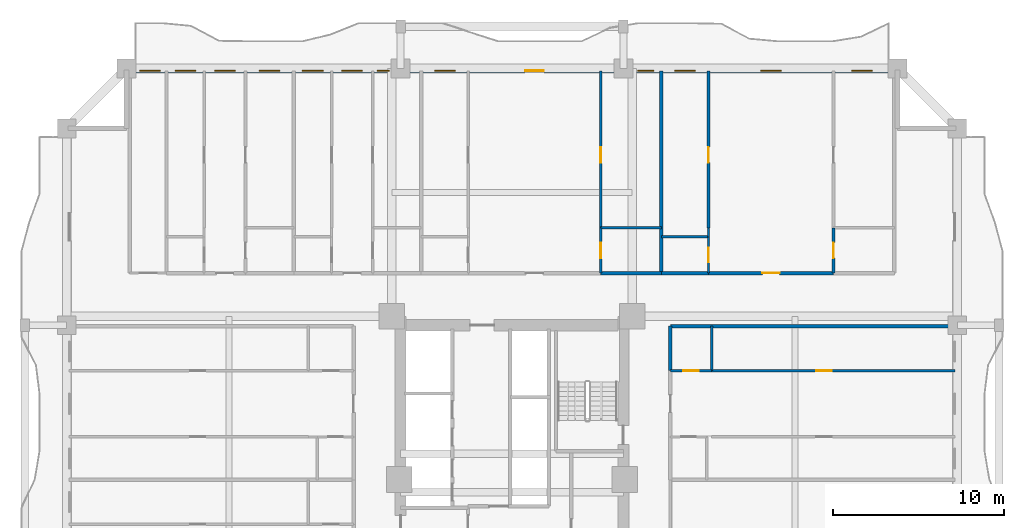
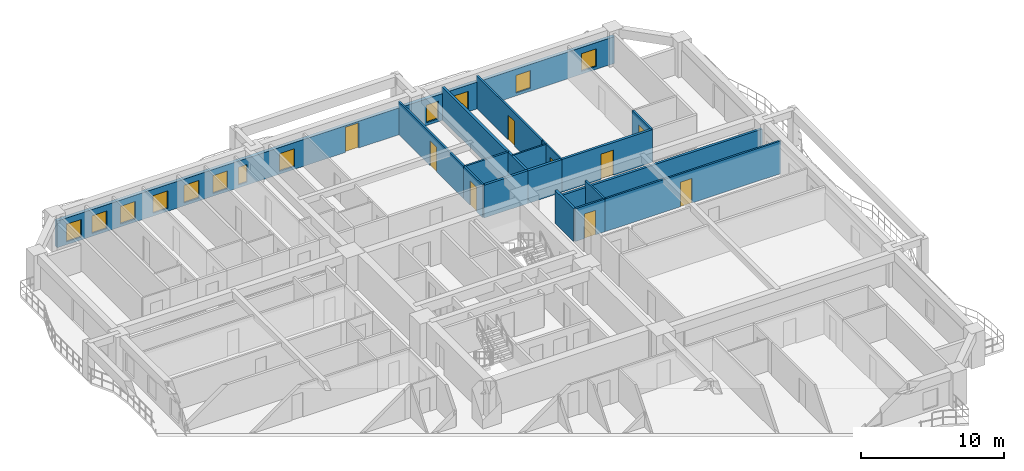
# One storey, part 7 of 15: 18 walls, 12 windows, 9 doors, 21 openings.
"""IFC4 building model written with IfcOpenShell, lengths in metres."""

from ifc_helpers import new_model, si_unit, direction, frame, frame_2d, origin, place, context, subcontext, project, spatial, rectangle, extrude, source, transform, mapped, material, layer, layer_set, type_object, element, fill, save


model = new_model("IFC4")

# Units and contexts
model_context = context("Model", 3, precision=1e-05, world=origin(), true_north=direction((0.0, 1.0)))
body_context = subcontext(model_context, "Body", "Model", "MODEL_VIEW")
ifc_project = project(units=[si_unit("LENGTHUNIT", "METRE"), si_unit("AREAUNIT", "SQUARE_METRE"), si_unit("VOLUMEUNIT", "CUBIC_METRE"), si_unit("PLANEANGLEUNIT", "RADIAN"), si_unit("MASSUNIT", "GRAM", prefix="KILO")], contexts=[model_context])

# Site, building, storey
site_placement = place(None, origin())
site = spatial("IfcSite", under=ifc_project, at=site_placement, CompositionType="ELEMENT")
building_placement = place(site_placement, origin())
building = spatial("IfcBuilding", under=site, at=building_placement, Name="Saelheon Loggia Tower", CompositionType="ELEMENT")
storey_placement = place(building_placement, frame((0.0, 0.0, 46.39990234375)))
storey = spatial("IfcBuildingStorey", under=building, at=storey_placement, Name="L14", CompositionType="ELEMENT", Elevation=46.39990234375)

# Wall, openings, windows, door
ifc_material_1 = material(Name="Architectural Precast Concrete C40/50", Category="concrete")
ifc_layer_1 = layer(ifc_material_1, 0.280029296875)
ifc_layer_set_1 = layer_set([ifc_layer_1], Name="Architectural Precast Concrete C40/50")
wall_type_1 = type_object("IfcWallType", Name="Wall_Ext_Loggia_280", PredefinedType="SOLIDWALL", material=ifc_layer_set_1)
wall_1_placement = place(storey_placement, frame((15.5, 50.860107421875, 0.0), z_axis=(0.0, 0.0, 1.0), x_axis=(1.0, 0.0, 0.0)))
wall_1 = element("IfcWall", 1, at=wall_1_placement, inside=storey, type_object=wall_type_1, Name="L14 North Loggia Inner Wall", PredefinedType="SOLIDWALL", context=body_context, shape_type="SweptSolid", body=[
    extrude(rectangle(XDim=45.0, YDim=0.280029296875, at=frame_2d((22.5, 0.0))), origin(), (0.0, 0.0, 1.0), 2.280029296875),
])
opening_1_placement = place(wall_1_placement, frame((0.760009765625, 0.0, 0.25)))
opening_1 = element("IfcOpeningElement", 2, at=opening_1_placement, cuts=wall_1, Name="Opening WN-03", PredefinedType="OPENING", context=body_context, shape_type="SweptSolid", body=[
    extrude(rectangle(XDim=1.199951171875, YDim=1.5, at=frame_2d((0.60009765625, 0.75))), frame((0.0, 0.152099609375, 0.0), z_axis=(0.0, -1.0, 0.0), x_axis=(1.0, 0.0, 0.0)), (0.0, 0.0, 1.0), 0.303955078125),
])
opening_2_placement = place(wall_1_placement, frame((2.830078125, 0.0, 0.25)))
opening_2 = element("IfcOpeningElement", 3, at=opening_2_placement, cuts=wall_1, Name="Opening WN-03", PredefinedType="OPENING", context=body_context, shape_type="SweptSolid", body=[
    extrude(rectangle(XDim=1.199951171875, YDim=1.5, at=frame_2d((0.60009765625, 0.75))), frame((0.0, 0.152099609375, 0.0), z_axis=(0.0, -1.0, 0.0), x_axis=(1.0, 0.0, 0.0)), (0.0, 0.0, 1.0), 0.303955078125),
])
opening_3_placement = place(wall_1_placement, frame((5.135009765625, 0.0, 0.25)))
opening_3 = element("IfcOpeningElement", 4, at=opening_3_placement, cuts=wall_1, Name="Opening WN-03", PredefinedType="OPENING", context=body_context, shape_type="SweptSolid", body=[
    extrude(rectangle(XDim=1.199951171875, YDim=1.5, at=frame_2d((0.60009765625, 0.75))), frame((0.0, 0.152099609375, 0.0), z_axis=(0.0, -1.0, 0.0), x_axis=(1.0, 0.0, 0.0)), (0.0, 0.0, 1.0), 0.303955078125),
])
opening_4_placement = place(wall_1_placement, frame((7.7529296875, 0.0, 0.25)))
opening_4 = element("IfcOpeningElement", 5, at=opening_4_placement, cuts=wall_1, Name="Opening WN-03", PredefinedType="OPENING", context=body_context, shape_type="SweptSolid", body=[
    extrude(rectangle(XDim=1.199951171875, YDim=1.5, at=frame_2d((0.60009765625, 0.75))), frame((0.0, 0.152099609375, 0.0), z_axis=(0.0, -1.0, 0.0), x_axis=(1.0, 0.0, 0.0)), (0.0, 0.0, 1.0), 0.303955078125),
])
opening_5_placement = place(wall_1_placement, frame((10.265869140625, 0.0, 0.25)))
opening_5 = element("IfcOpeningElement", 6, at=opening_5_placement, cuts=wall_1, Name="Opening WN-03", PredefinedType="OPENING", context=body_context, shape_type="SweptSolid", body=[
    extrude(rectangle(XDim=1.199951171875, YDim=1.5, at=frame_2d((0.60009765625, 0.75))), frame((0.0, 0.152099609375, 0.0), z_axis=(0.0, -1.0, 0.0), x_axis=(1.0, 0.0, 0.0)), (0.0, 0.0, 1.0), 0.303955078125),
])
opening_6_placement = place(wall_1_placement, frame((12.57080078125, 0.0, 0.25)))
opening_6 = element("IfcOpeningElement", 7, at=opening_6_placement, cuts=wall_1, Name="Opening WN-03", PredefinedType="OPENING", context=body_context, shape_type="SweptSolid", body=[
    extrude(rectangle(XDim=1.199951171875, YDim=1.5, at=frame_2d((0.60009765625, 0.75))), frame((0.0, 0.152099609375, 0.0), z_axis=(0.0, -1.0, 0.0), x_axis=(1.0, 0.0, 0.0)), (0.0, 0.0, 1.0), 0.303955078125),
])
opening_7_placement = place(wall_1_placement, frame((14.64306640625, 0.0, 0.25)))
opening_7 = element("IfcOpeningElement", 8, at=opening_7_placement, cuts=wall_1, Name="Opening WN-06", PredefinedType="OPENING", context=body_context, shape_type="SweptSolid", body=[
    extrude(rectangle(XDim=0.699951171875, YDim=1.5, at=frame_2d((0.35009765625, 0.75))), frame((0.0, 0.152099609375, 0.0), z_axis=(0.0, -1.0, 0.0), x_axis=(1.0, 0.0, 0.0)), (0.0, 0.0, 1.0), 0.303955078125),
])
opening_8_placement = place(wall_1_placement, frame((17.9765625, 0.0, 0.25)))
opening_8 = element("IfcOpeningElement", 9, at=opening_8_placement, cuts=wall_1, Name="Opening WN-03", PredefinedType="OPENING", context=body_context, shape_type="SweptSolid", body=[
    extrude(rectangle(XDim=1.199951171875, YDim=1.5, at=frame_2d((0.60009765625, 0.75))), frame((0.0, 0.152099609375, 0.0), z_axis=(0.0, -1.0, 0.0), x_axis=(1.0, 0.0, 0.0)), (0.0, 0.0, 1.0), 0.303955078125),
])
opening_9_placement = place(wall_1_placement, frame((23.26318359375, 0.0, 0.0)))
opening_9 = element("IfcOpeningElement", 10, at=opening_9_placement, cuts=wall_1, Name="Opening TD1", PredefinedType="OPENING", context=body_context, shape_type="SweptSolid", body=[
    extrude(rectangle(XDim=1.10009765625, YDim=2.14990234375, at=frame_2d((0.550048828125, 1.074951171875))), frame((0.0, 0.152099609375, 0.0), z_axis=(0.0, -1.0, 0.0), x_axis=(1.0, 0.0, 0.0)), (0.0, 0.0, 1.0), 0.303955078125),
])
opening_10_placement = place(wall_1_placement, frame((29.83154296875, 0.0, 0.25)))
opening_10 = element("IfcOpeningElement", 11, at=opening_10_placement, cuts=wall_1, Name="Opening WN-04", PredefinedType="OPENING", context=body_context, shape_type="SweptSolid", body=[
    extrude(rectangle(XDim=0.949951171875, YDim=1.5, at=frame_2d((0.47509765625, 0.75))), frame((0.0, 0.152099609375, 0.0), z_axis=(0.0, -1.0, 0.0), x_axis=(1.0, 0.0, 0.0)), (0.0, 0.0, 1.0), 0.303955078125),
])
opening_11_placement = place(wall_1_placement, frame((31.998291015625, 0.0, 0.25)))
opening_11 = element("IfcOpeningElement", 12, at=opening_11_placement, cuts=wall_1, Name="Opening WN-03", PredefinedType="OPENING", context=body_context, shape_type="SweptSolid", body=[
    extrude(rectangle(XDim=1.199951171875, YDim=1.5, at=frame_2d((0.60009765625, 0.75))), frame((0.0, 0.152099609375, 0.0), z_axis=(0.0, -1.0, 0.0), x_axis=(1.0, 0.0, 0.0)), (0.0, 0.0, 1.0), 0.303955078125),
])
opening_12_placement = place(wall_1_placement, frame((37.022705078125, 0.0, 0.25)))
opening_12 = element("IfcOpeningElement", 13, at=opening_12_placement, cuts=wall_1, Name="Opening WN-03", PredefinedType="OPENING", context=body_context, shape_type="SweptSolid", body=[
    extrude(rectangle(XDim=1.199951171875, YDim=1.5, at=frame_2d((0.60009765625, 0.75))), frame((0.0, 0.152099609375, 0.0), z_axis=(0.0, -1.0, 0.0), x_axis=(1.0, 0.0, 0.0)), (0.0, 0.0, 1.0), 0.303955078125),
])
opening_13_placement = place(wall_1_placement, frame((42.341064453125, 0.0, 0.25)))
opening_13 = element("IfcOpeningElement", 14, at=opening_13_placement, cuts=wall_1, Name="Opening WN-03", PredefinedType="OPENING", context=body_context, shape_type="SweptSolid", body=[
    extrude(rectangle(XDim=1.199951171875, YDim=1.5, at=frame_2d((0.60009765625, 0.75))), frame((0.0, 0.152099609375, 0.0), z_axis=(0.0, -1.0, 0.0), x_axis=(1.0, 0.0, 0.0)), (0.0, 0.0, 1.0), 0.303955078125),
])
ifc_material_2 = material(Name="Thermal-Break Aluminium and Triple Low-E Glass", Category="aluminium")
window_type_1 = type_object("IfcWindowType", Name="Win_Slot_700x1500", PartitioningType="SINGLE_PANEL", PredefinedType="WINDOW", material=ifc_material_2)
shared_shape_1 = source(origin(), body_context, "Body", "SweptSolid", [
    extrude(rectangle(XDim=0.699951171875, YDim=1.5, at=frame_2d((0.35009765625, 0.75))), frame((0.0, 0.030029296875, 0.0), z_axis=(0.0, -1.0, 0.0), x_axis=(1.0, 0.0, 0.0)), (0.0, 0.0, 1.0), 0.06005859375),
])
window_1_placement = place(opening_7_placement, origin())
window_1 = element("IfcWindow", 15, at=window_1_placement, inside=storey, type_object=window_type_1, Name="L14 N Dwelling Window 7", OverallHeight=1.5, OverallWidth=0.699951171875, PartitioningType="SINGLE_PANEL", PredefinedType="WINDOW", context=body_context, shape_type="MappedRepresentation", body=[
    mapped(shared_shape_1, transform((0.0, 0.0, 0.0), scale=1.0)),
])
fill(opening_7, window_1)
window_type_2 = type_object("IfcWindowType", Name="Win_Bedroom_1200x1500", PartitioningType="SINGLE_PANEL", PredefinedType="WINDOW", material=ifc_material_2)
shared_shape_2 = source(origin(), body_context, "Body", "SweptSolid", [
    extrude(rectangle(XDim=1.199951171875, YDim=1.5, at=frame_2d((0.60009765625, 0.75))), frame((0.0, 0.030029296875, 0.0), z_axis=(0.0, -1.0, 0.0), x_axis=(1.0, 0.0, 0.0)), (0.0, 0.0, 1.0), 0.06005859375),
])
window_2_placement = place(opening_1_placement, origin())
window_2 = element("IfcWindow", 16, at=window_2_placement, inside=storey, type_object=window_type_2, Name="L14 N Dwelling Window 1", OverallHeight=1.5, OverallWidth=1.199951171875, PartitioningType="SINGLE_PANEL", PredefinedType="WINDOW", context=body_context, shape_type="MappedRepresentation", body=[
    mapped(shared_shape_2, transform((0.0, 0.0, 0.0), scale=1.0)),
])
fill(opening_1, window_2)
window_3_placement = place(opening_2_placement, origin())
window_3 = element("IfcWindow", 17, at=window_3_placement, inside=storey, type_object=window_type_2, Name="L14 N Dwelling Window 2", OverallHeight=1.5, OverallWidth=1.199951171875, PartitioningType="SINGLE_PANEL", PredefinedType="WINDOW", context=body_context, shape_type="MappedRepresentation", body=[
    mapped(shared_shape_2, transform((0.0, 0.0, 0.0), scale=1.0)),
])
fill(opening_2, window_3)
window_4_placement = place(opening_3_placement, origin())
window_4 = element("IfcWindow", 18, at=window_4_placement, inside=storey, type_object=window_type_2, Name="L14 N Dwelling Window 3", OverallHeight=1.5, OverallWidth=1.199951171875, PartitioningType="SINGLE_PANEL", PredefinedType="WINDOW", context=body_context, shape_type="MappedRepresentation", body=[
    mapped(shared_shape_2, transform((0.0, 0.0, 0.0), scale=1.0)),
])
fill(opening_3, window_4)
window_5_placement = place(opening_4_placement, origin())
window_5 = element("IfcWindow", 19, at=window_5_placement, inside=storey, type_object=window_type_2, Name="L14 N Dwelling Window 4", OverallHeight=1.5, OverallWidth=1.199951171875, PartitioningType="SINGLE_PANEL", PredefinedType="WINDOW", context=body_context, shape_type="MappedRepresentation", body=[
    mapped(shared_shape_2, transform((0.0, 0.0, 0.0), scale=1.0)),
])
fill(opening_4, window_5)
window_6_placement = place(opening_5_placement, origin())
window_6 = element("IfcWindow", 20, at=window_6_placement, inside=storey, type_object=window_type_2, Name="L14 N Dwelling Window 5", OverallHeight=1.5, OverallWidth=1.199951171875, PartitioningType="SINGLE_PANEL", PredefinedType="WINDOW", context=body_context, shape_type="MappedRepresentation", body=[
    mapped(shared_shape_2, transform((0.0, 0.0, 0.0), scale=1.0)),
])
fill(opening_5, window_6)
window_7_placement = place(opening_6_placement, origin())
window_7 = element("IfcWindow", 21, at=window_7_placement, inside=storey, type_object=window_type_2, Name="L14 N Dwelling Window 6", OverallHeight=1.5, OverallWidth=1.199951171875, PartitioningType="SINGLE_PANEL", PredefinedType="WINDOW", context=body_context, shape_type="MappedRepresentation", body=[
    mapped(shared_shape_2, transform((0.0, 0.0, 0.0), scale=1.0)),
])
fill(opening_6, window_7)
window_8_placement = place(opening_8_placement, origin())
window_8 = element("IfcWindow", 22, at=window_8_placement, inside=storey, type_object=window_type_2, Name="L14 N Dwelling Window 8", OverallHeight=1.5, OverallWidth=1.199951171875, PartitioningType="SINGLE_PANEL", PredefinedType="WINDOW", context=body_context, shape_type="MappedRepresentation", body=[
    mapped(shared_shape_2, transform((0.0, 0.0, 0.0), scale=1.0)),
])
fill(opening_8, window_8)
window_9_placement = place(opening_11_placement, origin())
window_9 = element("IfcWindow", 23, at=window_9_placement, inside=storey, type_object=window_type_2, Name="L14 N Dwelling Window 11", OverallHeight=1.5, OverallWidth=1.199951171875, PartitioningType="SINGLE_PANEL", PredefinedType="WINDOW", context=body_context, shape_type="MappedRepresentation", body=[
    mapped(shared_shape_2, transform((0.0, 0.0, 0.0), scale=1.0)),
])
fill(opening_11, window_9)
window_10_placement = place(opening_12_placement, origin())
window_10 = element("IfcWindow", 24, at=window_10_placement, inside=storey, type_object=window_type_2, Name="L14 N Dwelling Window 12", OverallHeight=1.5, OverallWidth=1.199951171875, PartitioningType="SINGLE_PANEL", PredefinedType="WINDOW", context=body_context, shape_type="MappedRepresentation", body=[
    mapped(shared_shape_2, transform((0.0, 0.0, 0.0), scale=1.0)),
])
fill(opening_12, window_10)
window_11_placement = place(opening_13_placement, origin())
window_11 = element("IfcWindow", 25, at=window_11_placement, inside=storey, type_object=window_type_2, Name="L14 N Dwelling Window 13", OverallHeight=1.5, OverallWidth=1.199951171875, PartitioningType="SINGLE_PANEL", PredefinedType="WINDOW", context=body_context, shape_type="MappedRepresentation", body=[
    mapped(shared_shape_2, transform((0.0, 0.0, 0.0), scale=1.0)),
])
fill(opening_13, window_11)
ifc_material_3 = material(Name="Thermal-Break Aluminium Glazed Door", Category="aluminium")
door_type_1 = type_object("IfcDoorType", Name="Door_Terrace_TD1", OperationType="NOTDEFINED", PredefinedType="DOOR", material=ifc_material_3)
shared_shape_3 = source(origin(), body_context, "Body", "SweptSolid", [
    extrude(rectangle(XDim=1.10009765625, YDim=2.14990234375, at=frame_2d((0.550048828125, 1.074951171875))), frame((0.0, 0.02490234375, 0.0), z_axis=(0.0, -1.0, 0.0), x_axis=(1.0, 0.0, 0.0)), (0.0, 0.0, 1.0), 0.050048828125),
])
door_1_placement = place(opening_9_placement, origin())
door_1 = element("IfcDoor", 26, at=door_1_placement, inside=storey, type_object=door_type_1, Name="L14 N Loggia Access Door", OperationType="SINGLE_SWING_LEFT", OverallHeight=2.14990234375, OverallWidth=1.10009765625, PredefinedType="DOOR", context=body_context, shape_type="MappedRepresentation", body=[
    mapped(shared_shape_3, transform((0.0, 0.0, 0.0), scale=1.0)),
])
fill(opening_9, door_1)
window_type_3 = type_object("IfcWindowType", Name="Win_Narrow_950x1500", PartitioningType="SINGLE_PANEL", PredefinedType="WINDOW", material=ifc_material_2)
shared_shape_4 = source(origin(), body_context, "Body", "SweptSolid", [
    extrude(rectangle(XDim=0.949951171875, YDim=1.5, at=frame_2d((0.47509765625, 0.75))), frame((0.0, 0.030029296875, 0.0), z_axis=(0.0, -1.0, 0.0), x_axis=(1.0, 0.0, 0.0)), (0.0, 0.0, 1.0), 0.06005859375),
])
window_12_placement = place(opening_10_placement, origin())
window_12 = element("IfcWindow", 27, at=window_12_placement, inside=storey, type_object=window_type_3, Name="L14 N Dwelling Window 10", OverallHeight=1.5, OverallWidth=0.949951171875, PartitioningType="SINGLE_PANEL", PredefinedType="WINDOW", context=body_context, shape_type="MappedRepresentation", body=[
    mapped(shared_shape_4, transform((0.0, 0.0, 0.0), scale=1.0)),
])
fill(opening_10, window_12)

# Wall
ifc_material_4 = material(Name="Lightweight Autoclaved Aerated Concrete Block and Acoustic Gypsum", Category="concrete")
ifc_layer_2 = layer(ifc_material_4, 0.14990234375)
ifc_layer_set_2 = layer_set([ifc_layer_2], Name="Lightweight Autoclaved Aerated Concrete Block and Acoustic Gypsum")
wall_type_2 = type_object("IfcWallType", Name="Wall_Part_150", PredefinedType="PARTITIONING", material=ifc_layer_set_2)
wall_2_placement = place(storey_placement, frame((43.17529296875, 41.68994140625, 0.0), z_axis=(0.0, 0.0, 1.0), x_axis=(1.0, 0.0, 0.0)))
element("IfcWall", 28, at=wall_2_placement, inside=storey, type_object=wall_type_2, Name="L14 N Partition V31", PredefinedType="PARTITIONING", context=body_context, shape_type="SweptSolid", body=[
    extrude(rectangle(XDim=3.5478515625, YDim=0.14990234375, at=frame_2d((1.77392578125, 0.0))), origin(), (0.0, 0.0, 1.0), 2.7900390625),
])

# Wall, opening, door
wall_3_placement = place(storey_placement, frame((43.17529296875, 39.050048828125, 0.0), z_axis=(0.0, 0.0, 1.0), x_axis=(0.0, 1.0, 0.0)))
wall_3 = element("IfcWall", 29, at=wall_3_placement, inside=storey, type_object=wall_type_2, Name="L14 N Partition U35", PredefinedType="PARTITIONING", context=body_context, shape_type="SweptSolid", body=[
    extrude(rectangle(XDim=2.639892578125, YDim=0.14990234375, at=frame_2d((1.31982421875, 0.0))), origin(), (0.0, 0.0, 1.0), 2.7900390625),
])
opening_14_placement = place(wall_3_placement, frame((0.8701171875, 0.0, 0.0)))
opening_14 = element("IfcOpeningElement", 30, at=opening_14_placement, cuts=wall_3, Name="Opening D-IN2", PredefinedType="OPENING", context=body_context, shape_type="SweptSolid", body=[
    extrude(rectangle(XDim=0.89990234375, YDim=2.10009765625, at=frame_2d((0.449951171875, 1.050048828125))), frame((0.0, 0.0869140625, 0.0), z_axis=(0.0, -1.0, 0.0), x_axis=(1.0, 0.0, 0.0)), (0.0, 0.0, 1.0), 0.173828125),
])
ifc_material_5 = material(Name="Engineered Oak Flush Door", Category="timber")
door_type_2 = type_object("IfcDoorType", Name="Door_Int_900", OperationType="NOTDEFINED", PredefinedType="DOOR", material=ifc_material_5)
shared_shape_5 = source(origin(), body_context, "Body", "SweptSolid", [
    extrude(rectangle(XDim=0.89990234375, YDim=2.10009765625, at=frame_2d((0.449951171875, 1.050048828125))), frame((0.0, 0.02490234375, 0.0), z_axis=(0.0, -1.0, 0.0), x_axis=(1.0, 0.0, 0.0)), (0.0, 0.0, 1.0), 0.050048828125),
])
door_2_placement = place(opening_14_placement, origin())
door_2 = element("IfcDoor", 31, at=door_2_placement, inside=storey, type_object=door_type_2, Name="Unit U05 Dressing Closet Door", OperationType="SINGLE_SWING_LEFT", OverallHeight=2.10009765625, OverallWidth=0.89990234375, PredefinedType="DOOR", context=body_context, shape_type="MappedRepresentation", body=[
    mapped(shared_shape_5, transform((0.0, 0.0, 0.0), scale=1.0)),
])
fill(opening_14, door_2)

wall_4_placement = place(storey_placement, frame((43.17529296875, 41.68994140625, 0.0), z_axis=(0.0, 0.0, 1.0), x_axis=(0.0, 1.0, 0.0)))
wall_4 = element("IfcWall", 32, at=wall_4_placement, inside=storey, type_object=wall_type_2, Name="L14 N Partition U36", PredefinedType="PARTITIONING", context=body_context, shape_type="SweptSolid", body=[
    extrude(rectangle(XDim=9.16015625, YDim=0.14990234375, at=frame_2d((4.580078125, 0.0))), origin(), (0.0, 0.0, 1.0), 2.7900390625),
])
opening_15_placement = place(wall_4_placement, frame((3.805908203125, 0.0, 0.0)))
opening_15 = element("IfcOpeningElement", 33, at=opening_15_placement, cuts=wall_4, Name="Opening D-IN2", PredefinedType="OPENING", context=body_context, shape_type="SweptSolid", body=[
    extrude(rectangle(XDim=0.89990234375, YDim=2.10009765625, at=frame_2d((0.449951171875, 1.050048828125))), frame((0.0, 0.0869140625, 0.0), z_axis=(0.0, -1.0, 0.0), x_axis=(1.0, 0.0, 0.0)), (0.0, 0.0, 1.0), 0.173828125),
])
door_3_placement = place(opening_15_placement, origin())
door_3 = element("IfcDoor", 34, at=door_3_placement, inside=storey, type_object=door_type_2, Name="Unit U05 Bedroom 1 Door", OperationType="SINGLE_SWING_RIGHT", OverallHeight=2.10009765625, OverallWidth=0.89990234375, PredefinedType="DOOR", context=body_context, shape_type="MappedRepresentation", body=[
    mapped(shared_shape_5, transform((0.0, 0.0, 0.0), scale=1.0)),
])
fill(opening_15, door_3)

wall_5_placement = place(storey_placement, frame((49.47314453125, 41.68994140625, 0.0), z_axis=(0.0, 0.0, 1.0), x_axis=(0.0, 1.0, 0.0)))
wall_5 = element("IfcWall", 35, at=wall_5_placement, inside=storey, type_object=wall_type_2, Name="L14 N Partition U45", PredefinedType="PARTITIONING", context=body_context, shape_type="SweptSolid", body=[
    extrude(rectangle(XDim=9.16015625, YDim=0.14990234375, at=frame_2d((4.580078125, 0.0))), origin(), (0.0, 0.0, 1.0), 2.7900390625),
])
opening_16_placement = place(wall_5_placement, frame((3.805908203125, 0.0, 0.0)))
opening_16 = element("IfcOpeningElement", 36, at=opening_16_placement, cuts=wall_5, Name="Opening D-IN2", PredefinedType="OPENING", context=body_context, shape_type="SweptSolid", body=[
    extrude(rectangle(XDim=0.89990234375, YDim=2.10009765625, at=frame_2d((0.449951171875, 1.050048828125))), frame((0.0, 0.0869140625, 0.0), z_axis=(0.0, -1.0, 0.0), x_axis=(1.0, 0.0, 0.0)), (0.0, 0.0, 1.0), 0.173828125),
])
door_4_placement = place(opening_16_placement, origin())
door_4 = element("IfcDoor", 37, at=door_4_placement, inside=storey, type_object=door_type_2, Name="Unit U06 Kitchen Door", OperationType="SINGLE_SWING_LEFT", OverallHeight=2.10009765625, OverallWidth=0.89990234375, PredefinedType="DOOR", context=body_context, shape_type="MappedRepresentation", body=[
    mapped(shared_shape_5, transform((0.0, 0.0, 0.0), scale=1.0)),
])
fill(opening_16, door_4)

wall_6_placement = place(storey_placement, frame((56.77197265625, 39.050048828125, 0.0), z_axis=(0.0, 0.0, 1.0), x_axis=(0.0, 1.0, 0.0)))
wall_6 = element("IfcWall", 38, at=wall_6_placement, inside=storey, type_object=wall_type_2, Name="L14 N Partition U46", PredefinedType="PARTITIONING", context=body_context, shape_type="SweptSolid", body=[
    extrude(rectangle(XDim=2.639892578125, YDim=0.14990234375, at=frame_2d((1.31982421875, 0.0))), origin(), (0.0, 0.0, 1.0), 2.7900390625),
])
opening_17_placement = place(wall_6_placement, frame((0.8701171875, 0.0, 0.0)))
opening_17 = element("IfcOpeningElement", 39, at=opening_17_placement, cuts=wall_6, Name="Opening D-IN2", PredefinedType="OPENING", context=body_context, shape_type="SweptSolid", body=[
    extrude(rectangle(XDim=0.89990234375, YDim=2.10009765625, at=frame_2d((0.449951171875, 1.050048828125))), frame((0.0, 0.0869140625, 0.0), z_axis=(0.0, -1.0, 0.0), x_axis=(1.0, 0.0, 0.0)), (0.0, 0.0, 1.0), 0.173828125),
])
door_5_placement = place(opening_17_placement, origin())
door_5 = element("IfcDoor", 40, at=door_5_placement, inside=storey, type_object=door_type_2, Name="Unit U06 Dressing Closet Door", OperationType="SINGLE_SWING_RIGHT", OverallHeight=2.10009765625, OverallWidth=0.89990234375, PredefinedType="DOOR", context=body_context, shape_type="MappedRepresentation", body=[
    mapped(shared_shape_5, transform((0.0, 0.0, 0.0), scale=1.0)),
])
fill(opening_17, door_5)

# Wall
wall_7_placement = place(storey_placement, frame((49.64990234375, 33.35009765625, 0.0), z_axis=(0.0, 0.0, 1.0), x_axis=(0.0, 1.0, 0.0)))
element("IfcWall", 41, at=wall_7_placement, inside=storey, type_object=wall_type_2, Name="L14 E Partition V09", PredefinedType="PARTITIONING", context=body_context, shape_type="SweptSolid", body=[
    extrude(rectangle(XDim=2.599853515625, YDim=0.14990234375, at=frame_2d((1.2998046875, 0.0))), origin(), (0.0, 0.0, 1.0), 2.7900390625),
])

# Wall, opening, door
wall_8_placement = place(storey_placement, frame((47.25, 33.35009765625, 0.0), z_axis=(0.0, 0.0, 1.0), x_axis=(1.0, 0.0, 0.0)))
wall_8 = element("IfcWall", 42, at=wall_8_placement, inside=storey, type_object=wall_type_2, Name="L14 E Partition U12", PredefinedType="PARTITIONING", context=body_context, shape_type="SweptSolid", body=[
    extrude(rectangle(XDim=2.39990234375, YDim=0.14990234375, at=frame_2d((1.199951171875, 0.0))), origin(), (0.0, 0.0, 1.0), 2.7900390625),
])
opening_18_placement = place(wall_8_placement, frame((0.75, 0.0, 0.0)))
opening_18 = element("IfcOpeningElement", 43, at=opening_18_placement, cuts=wall_8, Name="Opening D-IN2", PredefinedType="OPENING", context=body_context, shape_type="SweptSolid", body=[
    extrude(rectangle(XDim=0.89990234375, YDim=2.10009765625, at=frame_2d((0.449951171875, 1.050048828125))), frame((0.0, 0.0869140625, 0.0), z_axis=(0.0, -1.0, 0.0), x_axis=(1.0, 0.0, 0.0)), (0.0, 0.0, 1.0), 0.173828125),
])
door_6_placement = place(opening_18_placement, origin())
door_6 = element("IfcDoor", 44, at=door_6_placement, inside=storey, type_object=door_type_2, Name="Unit U09 Dressing Closet Door", OperationType="SINGLE_SWING_RIGHT", OverallHeight=2.10009765625, OverallWidth=0.89990234375, PredefinedType="DOOR", context=body_context, shape_type="MappedRepresentation", body=[
    mapped(shared_shape_5, transform((0.0, 0.0, 0.0), scale=1.0)),
])
fill(opening_18, door_6)

wall_9_placement = place(storey_placement, frame((49.64990234375, 33.35009765625, 0.0), z_axis=(0.0, 0.0, 1.0), x_axis=(1.0, 0.0, 0.0)))
wall_9 = element("IfcWall", 45, at=wall_9_placement, inside=storey, type_object=wall_type_2, Name="L14 E Partition U13", PredefinedType="PARTITIONING", context=body_context, shape_type="SweptSolid", body=[
    extrude(rectangle(XDim=14.2001953125, YDim=0.14990234375, at=frame_2d((7.10009765625, 0.0))), origin(), (0.0, 0.0, 1.0), 2.7900390625),
])
opening_19_placement = place(wall_9_placement, frame((6.11572265625, 0.0, 0.0)))
opening_19 = element("IfcOpeningElement", 46, at=opening_19_placement, cuts=wall_9, Name="Opening D-IN2", PredefinedType="OPENING", context=body_context, shape_type="SweptSolid", body=[
    extrude(rectangle(XDim=0.89990234375, YDim=2.10009765625, at=frame_2d((0.449951171875, 1.050048828125))), frame((0.0, 0.0869140625, 0.0), z_axis=(0.0, -1.0, 0.0), x_axis=(1.0, 0.0, 0.0)), (0.0, 0.0, 1.0), 0.173828125),
])
door_7_placement = place(opening_19_placement, origin())
door_7 = element("IfcDoor", 47, at=door_7_placement, inside=storey, type_object=door_type_2, Name="Unit U09 Bedroom 1 Door", OperationType="SINGLE_SWING_LEFT", OverallHeight=2.10009765625, OverallWidth=0.89990234375, PredefinedType="DOOR", context=body_context, shape_type="MappedRepresentation", body=[
    mapped(shared_shape_5, transform((0.0, 0.0, 0.0), scale=1.0)),
])
fill(opening_19, door_7)

# Walls
ifc_material_6 = material(Name="Double Acoustic Stud and Fireboard Partition", Category="gypsum")
ifc_layer_3 = layer(ifc_material_6, 0.199951171875)
ifc_layer_set_3 = layer_set([ifc_layer_3], Name="Double Acoustic Stud and Fireboard Partition")
wall_type_3 = type_object("IfcWallType", Name="Wall_Party_200", PredefinedType="PARTITIONING", material=ifc_layer_set_3)
wall_10_placement = place(storey_placement, frame((43.17529296875, 39.050048828125, 0.0), z_axis=(0.0, 0.0, 1.0), x_axis=(1.0, 0.0, 0.0)))
element("IfcWall", 48, at=wall_10_placement, inside=storey, type_object=wall_type_3, Name="L14 N Partition V29", PredefinedType="PARTITIONING", context=body_context, shape_type="SweptSolid", body=[
    extrude(rectangle(XDim=3.5478515625, YDim=0.199951171875, at=frame_2d((1.77392578125, 0.0))), origin(), (0.0, 0.0, 1.0), 2.7900390625),
])
wall_11_placement = place(storey_placement, frame((46.72314453125, 39.050048828125, 0.0), z_axis=(0.0, 0.0, 1.0), x_axis=(0.0, 1.0, 0.0)))
element("IfcWall", 49, at=wall_11_placement, inside=storey, type_object=wall_type_3, Name="L14 N Partition U37", PredefinedType="PARTITIONING", context=body_context, shape_type="SweptSolid", body=[
    extrude(rectangle(XDim=11.800048828125, YDim=0.199951171875, at=frame_2d((5.89990234375, 0.0))), origin(), (0.0, 0.0, 1.0), 2.7900390625),
])
wall_12_placement = place(storey_placement, frame((46.72314453125, 39.050048828125, 0.0), z_axis=(0.0, 0.0, 1.0), x_axis=(1.0, 0.0, 0.0)))
element("IfcWall", 50, at=wall_12_placement, inside=storey, type_object=wall_type_3, Name="L14 N Partition V38", PredefinedType="PARTITIONING", context=body_context, shape_type="SweptSolid", body=[
    extrude(rectangle(XDim=2.75, YDim=0.199951171875, at=frame_2d((1.375, 0.0))), origin(), (0.0, 0.0, 1.0), 2.7900390625),
])

# Wall, opening, door
wall_13_placement = place(storey_placement, frame((49.47314453125, 39.050048828125, 0.0), z_axis=(0.0, 0.0, 1.0), x_axis=(1.0, 0.0, 0.0)))
wall_13 = element("IfcWall", 51, at=wall_13_placement, inside=storey, type_object=wall_type_3, Name="L14 N Partition V39", PredefinedType="PARTITIONING", context=body_context, shape_type="SweptSolid", body=[
    extrude(rectangle(XDim=7.298828125, YDim=0.199951171875, at=frame_2d((3.6494140625, 0.0))), origin(), (0.0, 0.0, 1.0), 2.7900390625),
])
opening_20_placement = place(wall_13_placement, frame((3.1494140625, 0.0, 0.0)))
opening_20 = element("IfcOpeningElement", 52, at=opening_20_placement, cuts=wall_13, Name="Opening D-FD1", PredefinedType="OPENING", context=body_context, shape_type="SweptSolid", body=[
    extrude(rectangle(XDim=1.0, YDim=2.14990234375, at=frame_2d((0.5, 1.074951171875))), frame((0.0, 0.112060546875, 0.0), z_axis=(0.0, -1.0, 0.0), x_axis=(1.0, 0.0, 0.0)), (0.0, 0.0, 1.0), 0.223876953125),
])
ifc_material_7 = material(Name="Fire-Rated Engineered Timber Entrance Door", Category="wood")
door_type_3 = type_object("IfcDoorType", Name="Door_Flat_FD30S", OperationType="NOTDEFINED", PredefinedType="DOOR", material=ifc_material_7)
shared_shape_6 = source(origin(), body_context, "Body", "SweptSolid", [
    extrude(rectangle(XDim=1.0, YDim=2.14990234375, at=frame_2d((0.5, 1.074951171875))), frame((0.0, 0.02490234375, 0.0), z_axis=(0.0, -1.0, 0.0), x_axis=(1.0, 0.0, 0.0)), (0.0, 0.0, 1.0), 0.050048828125),
])
door_8_placement = place(opening_20_placement, origin())
door_8 = element("IfcDoor", 53, at=door_8_placement, inside=storey, type_object=door_type_3, Name="Unit U06 Entrance Door", OperationType="SINGLE_SWING_LEFT", OverallHeight=2.14990234375, OverallWidth=1.0, PredefinedType="DOOR", context=body_context, shape_type="MappedRepresentation", body=[
    mapped(shared_shape_6, transform((0.0, 0.0, 0.0), scale=1.0)),
])
fill(opening_20, door_8)

# Walls
wall_14_placement = place(storey_placement, frame((47.25, 35.949951171875, 0.0), z_axis=(0.0, 0.0, 1.0), x_axis=(1.0, 0.0, 0.0)))
element("IfcWall", 54, at=wall_14_placement, inside=storey, type_object=wall_type_3, Name="L14 E Partition U02", PredefinedType="PARTITIONING", context=body_context, shape_type="SweptSolid", body=[
    extrude(rectangle(XDim=16.60009765625, YDim=0.199951171875, at=frame_2d((8.300048828125, 0.0))), origin(), (0.0, 0.0, 1.0), 2.239990234375),
])
wall_15_placement = place(storey_placement, frame((47.25, 33.35009765625, 0.0), z_axis=(0.0, 0.0, 1.0), x_axis=(0.0, 1.0, 0.0)))
element("IfcWall", 55, at=wall_15_placement, inside=storey, type_object=wall_type_3, Name="L14 E Partition V07", PredefinedType="PARTITIONING", context=body_context, shape_type="SweptSolid", body=[
    extrude(rectangle(XDim=2.599853515625, YDim=0.199951171875, at=frame_2d((1.2998046875, 0.0))), origin(), (0.0, 0.0, 1.0), 2.7900390625),
])
ifc_material_8 = material(Name="Moisture-Resistant Cement Board Partition", Category="gypsum")
ifc_layer_4 = layer(ifc_material_8, 0.1201171875)
ifc_layer_set_4 = layer_set([ifc_layer_4], Name="Moisture-Resistant Cement Board Partition")
wall_type_4 = type_object("IfcWallType", Name="Wall_WetPart_120", PredefinedType="PARTITIONING", material=ifc_layer_set_4)
wall_16_placement = place(storey_placement, frame((46.72314453125, 41.169921875, 0.0), z_axis=(0.0, 0.0, 1.0), x_axis=(1.0, 0.0, 0.0)))
element("IfcWall", 56, at=wall_16_placement, inside=storey, type_object=wall_type_4, Name="L14 N Partition V41", PredefinedType="PARTITIONING", context=body_context, shape_type="SweptSolid", body=[
    extrude(rectangle(XDim=2.75, YDim=0.1201171875, at=frame_2d((1.375, 0.0))), origin(), (0.0, 0.0, 1.0), 2.7900390625),
])

# Wall, opening, door
wall_17_placement = place(storey_placement, frame((49.47314453125, 39.050048828125, 0.0), z_axis=(0.0, 0.0, 1.0), x_axis=(0.0, 1.0, 0.0)))
wall_17 = element("IfcWall", 57, at=wall_17_placement, inside=storey, type_object=wall_type_4, Name="L14 N Partition U43", PredefinedType="PARTITIONING", context=body_context, shape_type="SweptSolid", body=[
    extrude(rectangle(XDim=2.119873046875, YDim=0.1201171875, at=frame_2d((1.06005859375, 0.0))), origin(), (0.0, 0.0, 1.0), 2.7900390625),
])
opening_21_placement = place(wall_17_placement, frame((0.635009765625, 0.0, 0.0)))
opening_21 = element("IfcOpeningElement", 58, at=opening_21_placement, cuts=wall_17, Name="Opening D-BT1", PredefinedType="OPENING", context=body_context, shape_type="SweptSolid", body=[
    extrude(rectangle(XDim=0.85009765625, YDim=2.050048828125, at=frame_2d((0.425048828125, 1.02490234375))), frame((0.0, 0.072021484375, 0.0), z_axis=(0.0, -1.0, 0.0), x_axis=(1.0, 0.0, 0.0)), (0.0, 0.0, 1.0), 0.14404296875),
])
ifc_material_9 = material(Name="Moisture-Resistant Laminate Timber Door", Category="wood")
door_type_4 = type_object("IfcDoorType", Name="Door_Bath_850", OperationType="NOTDEFINED", PredefinedType="DOOR", material=ifc_material_9)
shared_shape_7 = source(origin(), body_context, "Body", "SweptSolid", [
    extrude(rectangle(XDim=0.85009765625, YDim=2.050048828125, at=frame_2d((0.425048828125, 1.02490234375))), frame((0.0, 0.02490234375, 0.0), z_axis=(0.0, -1.0, 0.0), x_axis=(1.0, 0.0, 0.0)), (0.0, 0.0, 1.0), 0.050048828125),
])
door_9_placement = place(opening_21_placement, origin())
door_9 = element("IfcDoor", 59, at=door_9_placement, inside=storey, type_object=door_type_4, Name="Unit U06 Bathroom Door", OperationType="SINGLE_SWING_RIGHT", OverallHeight=2.050048828125, OverallWidth=0.85009765625, PredefinedType="DOOR", context=body_context, shape_type="MappedRepresentation", body=[
    mapped(shared_shape_7, transform((0.0, 0.0, 0.0), scale=1.0)),
])
fill(opening_21, door_9)

# Wall
wall_18_placement = place(storey_placement, frame((49.47314453125, 41.169921875, 0.0), z_axis=(0.0, 0.0, 1.0), x_axis=(0.0, 1.0, 0.0)))
element("IfcWall", 60, at=wall_18_placement, inside=storey, type_object=wall_type_4, Name="L14 N Partition U44", PredefinedType="PARTITIONING", context=body_context, shape_type="SweptSolid", body=[
    extrude(rectangle(XDim=0.52001953125, YDim=0.1201171875, at=frame_2d((0.260009765625, 0.0))), origin(), (0.0, 0.0, 1.0), 2.7900390625),
])

save(model, "model.ifc")
